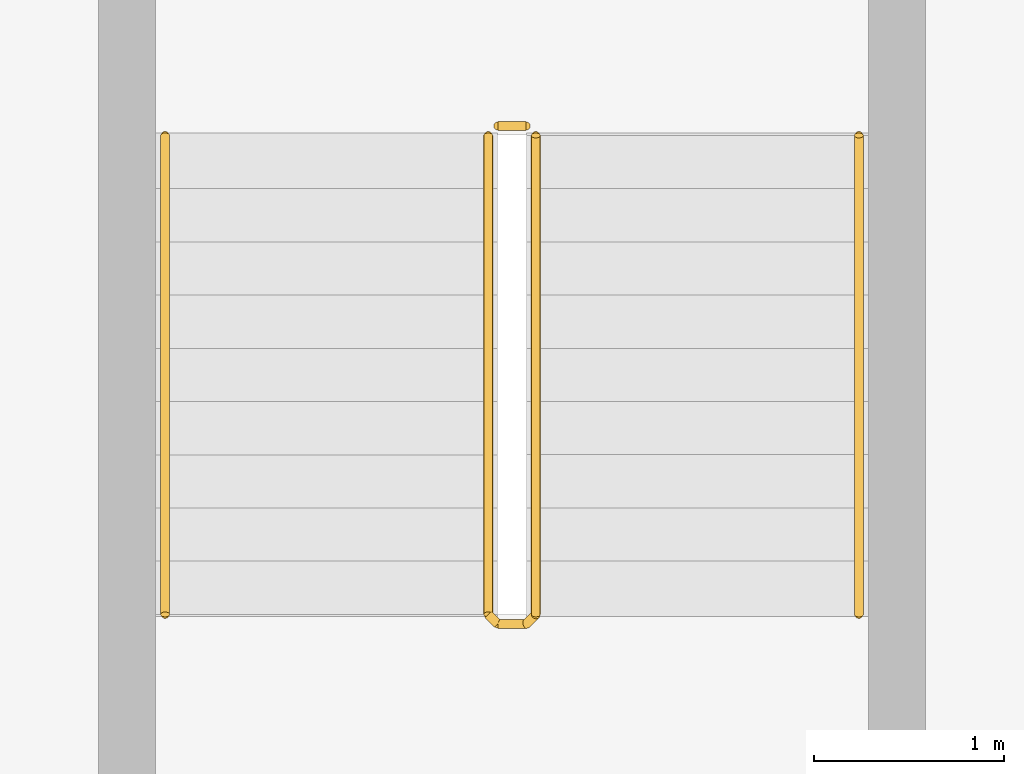
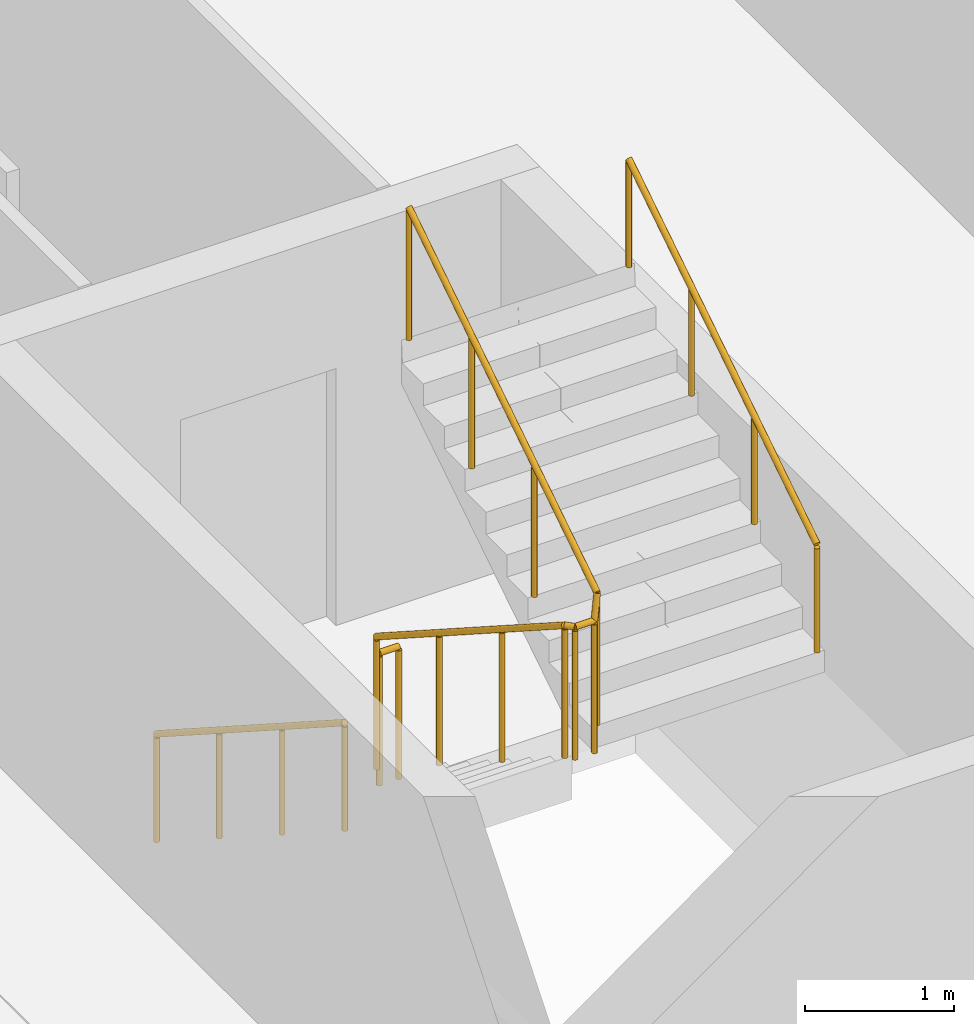
# One storey, part 22 of 24: 4 railings.
"""IFC4 building model written with IfcOpenShell, lengths in metres."""

from ifc_helpers import new_model, si_unit, direction, frame, origin, origin_2d, place, context, subcontext, project, spatial, circle, extrude, material, type_object, element, save


model = new_model("IFC4")

# Units and contexts
model_context = context("Model", 3, precision=1e-05, world=origin(), true_north=direction((0.0, 1.0)))
body_context = subcontext(model_context, "Body", "Model", "MODEL_VIEW")
ifc_project = project(units=[si_unit("LENGTHUNIT", "METRE"), si_unit("AREAUNIT", "SQUARE_METRE"), si_unit("VOLUMEUNIT", "CUBIC_METRE"), si_unit("PLANEANGLEUNIT", "RADIAN"), si_unit("MASSUNIT", "GRAM", prefix="KILO")], contexts=[model_context])

# Site, building, storey
site_placement = place(None, origin())
site = spatial("IfcSite", under=ifc_project, at=site_placement, CompositionType="ELEMENT")
building_placement = place(site_placement, origin())
building = spatial("IfcBuilding", under=site, at=building_placement, Name="Wharfspan Tower", CompositionType="ELEMENT")
storey_placement = place(building_placement, frame((0.0, 0.0, 66.699951)))
storey = spatial("IfcBuildingStorey", under=building, at=storey_placement, Name="L13", CompositionType="ELEMENT", Elevation=66.699951)

# Railings
ifc_material = material(Name="Steel S355J2", Category="steel")
railing_type_1 = type_object("IfcRailingType", Name="Stair guard 1100", PredefinedType="GUARDRAIL", material=ifc_material)
railing_1_placement = place(storey_placement, frame((39.258301, 3.760498, 0.179932)))
element("IfcRailing", 1, at=railing_1_placement, inside=storey, type_object=railing_type_1, Name="L13 ST4 stair guard 1", PredefinedType="GUARDRAIL", context=body_context, shape_type="SweptSolid", body=[
    extrude(circle(Radius=0.023926, at=origin_2d()), frame((0.0, 0.0, 1.076172), z_axis=(0.0, -0.841139, 0.540819), x_axis=(1.0, 0.0, 0.0)), (0.0, 0.0, 1.0), 2.995605),
    extrude(circle(Radius=0.023926, at=origin_2d()), frame((0.0, -2.519775, 2.696289), z_axis=(0.707107, -0.707107, 0.0), x_axis=(0.707107, 0.707107, 0.0)), (0.0, 0.0, 1.0), 0.070801),
    extrude(circle(Radius=0.023926, at=origin_2d()), frame((0.050049, -2.569824, 2.696289), z_axis=(1.0, 0.0, 0.0), x_axis=(0.0, 1.0, 0.0)), (0.0, 0.0, 1.0), 0.149902),
    extrude(circle(Radius=0.023926, at=origin_2d()), frame((0.199951, -2.569824, 2.696289), z_axis=(0.258848, 0.258848, 0.930589), x_axis=(-0.707107, 0.707107, 0.0)), (0.0, 0.0, 1.0), 0.193359),
    extrude(circle(Radius=0.023926, at=origin_2d()), frame((0.25, -2.519775, 2.875977), z_axis=(0.0, 0.841139, 0.540819), x_axis=(-1.0, 0.0, 0.0)), (0.0, 0.0, 1.0), 2.995605),
    extrude(circle(Radius=0.020996, at=origin_2d()), origin(), (0.0, 0.0, 1.0), 1.052002),
    extrude(circle(Radius=0.020996, at=origin_2d()), frame((0.0, -0.839844, 0.540039)), (0.0, 0.0, 1.0), 1.052002),
    extrude(circle(Radius=0.020996, at=origin_2d()), frame((0.0, -1.679932, 1.080078)), (0.0, 0.0, 1.0), 1.052002),
    extrude(circle(Radius=0.020996, at=origin_2d()), frame((0.0, -2.519775, 1.620117)), (0.0, 0.0, 1.0), 1.052002),
    extrude(circle(Radius=0.020996, at=origin_2d()), frame((0.050049, -2.569824, 1.620117)), (0.0, 0.0, 1.0), 1.052002),
    extrude(circle(Radius=0.020996, at=origin_2d()), frame((0.199951, -2.569824, 1.620117)), (0.0, 0.0, 1.0), 1.052002),
    extrude(circle(Radius=0.020996, at=origin_2d()), frame((0.25, -2.519775, 1.800049)), (0.0, 0.0, 1.0), 1.052002),
    extrude(circle(Radius=0.020996, at=origin_2d()), frame((0.25, -1.679932, 2.340088)), (0.0, 0.0, 1.0), 1.052002),
    extrude(circle(Radius=0.020996, at=origin_2d()), frame((0.25, -0.839844, 2.880127)), (0.0, 0.0, 1.0), 1.052002),
    extrude(circle(Radius=0.020996, at=origin_2d()), frame((0.25, 0.0, 3.420166)), (0.0, 0.0, 1.0), 1.052002),
])
railing_2_placement = place(storey_placement, frame((39.30835, 3.810547, 0.0)))
element("IfcRailing", 2, at=railing_2_placement, inside=storey, type_object=railing_type_1, Name="L13 ST4 stair guard 2", PredefinedType="GUARDRAIL", context=body_context, shape_type="SweptSolid", body=[
    extrude(circle(Radius=0.023926, at=origin_2d()), frame((0.0, 0.0, 1.076172), z_axis=(1.0, 0.0, 0.0), x_axis=(0.0, 1.0, 0.0)), (0.0, 0.0, 1.0), 0.149902),
    extrude(circle(Radius=0.020996, at=origin_2d()), origin(), (0.0, 0.0, 1.0), 1.052002),
    extrude(circle(Radius=0.020996, at=origin_2d()), frame((0.149902, 0.0, 0.0)), (0.0, 0.0, 1.0), 1.052002),
])
railing_type_2 = type_object("IfcRailingType", Name="Stair handrail 900", PredefinedType="HANDRAIL", material=ifc_material)
railing_3_placement = place(storey_placement, frame((37.55835, 3.760498, 0.179932)))
element("IfcRailing", 3, at=railing_3_placement, inside=storey, type_object=railing_type_2, Name="L13 ST4 stair handrail 1", PredefinedType="HANDRAIL", context=body_context, shape_type="SweptSolid", body=[
    extrude(circle(Radius=0.023926, at=origin_2d()), frame((0.0, 0.0, 0.875977), z_axis=(0.0, -0.841139, 0.540819), x_axis=(1.0, 0.0, 0.0)), (0.0, 0.0, 1.0), 2.995605),
    extrude(circle(Radius=0.020996, at=origin_2d()), origin(), (0.0, 0.0, 1.0), 0.851807),
    extrude(circle(Radius=0.020996, at=origin_2d()), frame((0.0, -0.839844, 0.540039)), (0.0, 0.0, 1.0), 0.851807),
    extrude(circle(Radius=0.020996, at=origin_2d()), frame((0.0, -1.679932, 1.080078)), (0.0, 0.0, 1.0), 0.851807),
    extrude(circle(Radius=0.020996, at=origin_2d()), frame((0.0, -2.519775, 1.620117)), (0.0, 0.0, 1.0), 0.851807),
])
railing_4_placement = place(storey_placement, frame((41.208252, 1.240723, 1.97998)))
element("IfcRailing", 4, at=railing_4_placement, inside=storey, type_object=railing_type_2, Name="L13 ST4 stair handrail 2", PredefinedType="HANDRAIL", context=body_context, shape_type="SweptSolid", body=[
    extrude(circle(Radius=0.023926, at=origin_2d()), frame((0.0, 0.0, 0.875977), z_axis=(0.0, 0.841139, 0.540819), x_axis=(-1.0, 0.0, 0.0)), (0.0, 0.0, 1.0), 2.995605),
    extrude(circle(Radius=0.020996, at=origin_2d()), origin(), (0.0, 0.0, 1.0), 0.851807),
    extrude(circle(Radius=0.020996, at=origin_2d()), frame((0.0, 0.839844, 0.540039)), (0.0, 0.0, 1.0), 0.851807),
    extrude(circle(Radius=0.020996, at=origin_2d()), frame((0.0, 1.679932, 1.080078)), (0.0, 0.0, 1.0), 0.851807),
    extrude(circle(Radius=0.020996, at=origin_2d()), frame((0.0, 2.519775, 1.620117)), (0.0, 0.0, 1.0), 0.851807),
])

save(model, "model.ifc")
